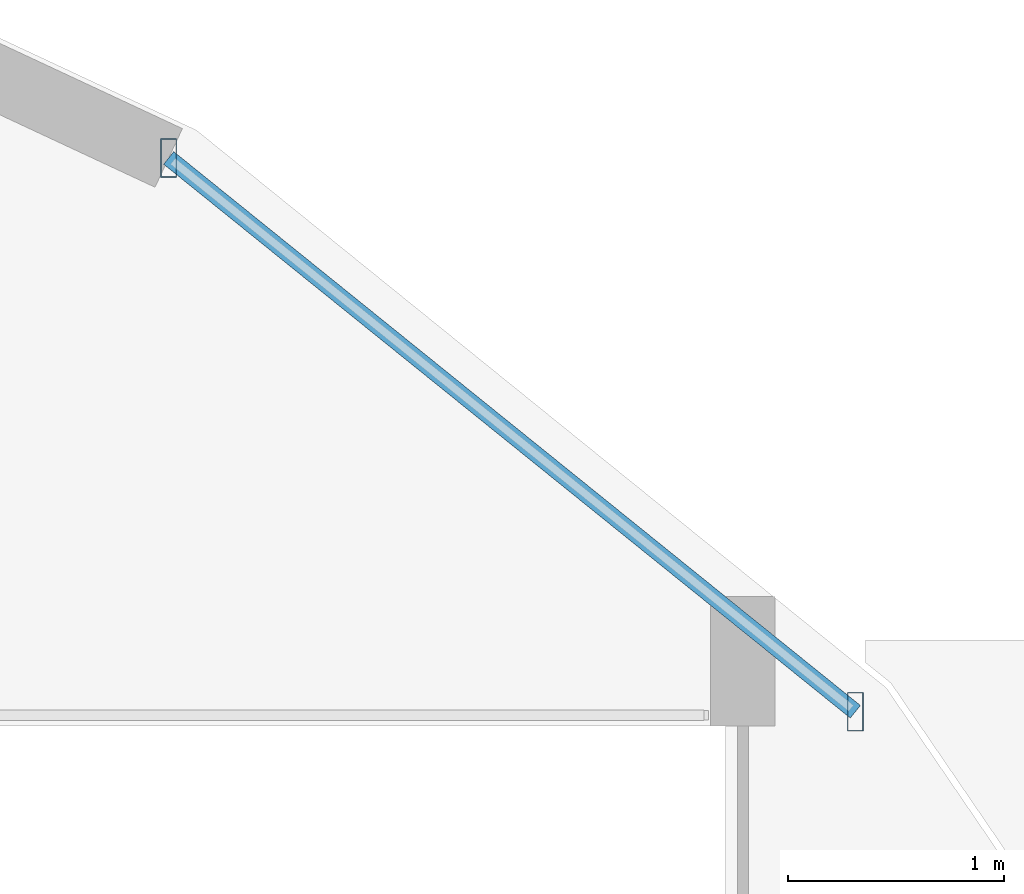
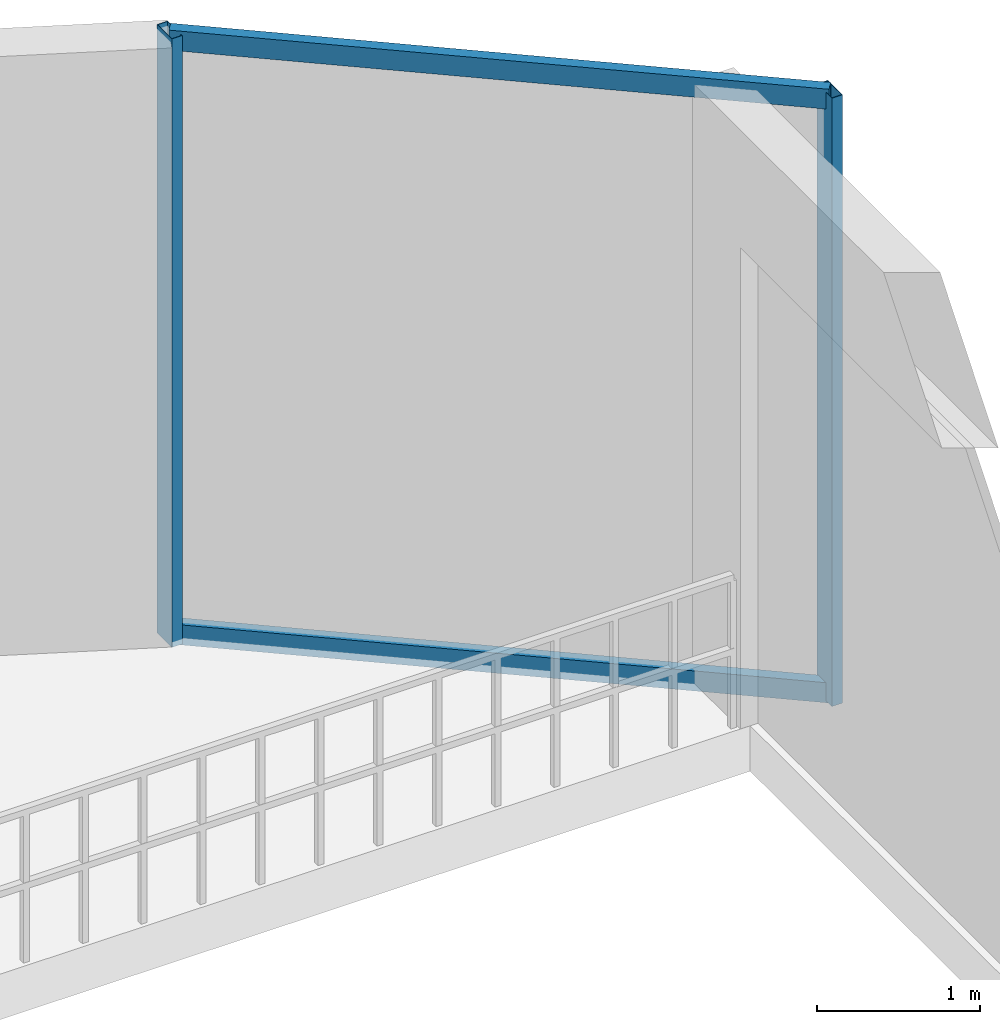
# One storey, part 24 of 36: 4 members, 1 element without a shape of its own.
"""IFC4 building model written with IfcOpenShell, lengths in metres."""

from ifc_helpers import new_model, si_unit, direction, frame, origin, origin_2d, place, context, subcontext, project, spatial, hollow_rectangle, extrude, material, material_profile, profile_set, type_object, element, aggregate, save


model = new_model("IFC4")

# Units and contexts
model_context = context("Model", 3, precision=1e-05, world=origin(), true_north=direction((0.0, 1.0)))
body_context = subcontext(model_context, "Body", "Model", "MODEL_VIEW")
ifc_project = project(units=[si_unit("LENGTHUNIT", "METRE"), si_unit("AREAUNIT", "SQUARE_METRE"), si_unit("VOLUMEUNIT", "CUBIC_METRE"), si_unit("PLANEANGLEUNIT", "RADIAN"), si_unit("MASSUNIT", "GRAM", prefix="KILO")], contexts=[model_context])

# Site, building, storey
site_placement = place(None, origin())
site = spatial("IfcSite", under=ifc_project, at=site_placement, CompositionType="ELEMENT")
building_placement = place(site_placement, origin())
building = spatial("IfcBuilding", under=site, at=building_placement, Name="Vorneva Point Tower", CompositionType="ELEMENT")
storey_placement = place(building_placement, origin())
storey = spatial("IfcBuildingStorey", under=building, at=storey_placement, Name="L00", CompositionType="ELEMENT", Elevation=0.0)

# Curtain wall, members
ifc_material = material(Name="Pale anodised aluminium", Category="aluminium")
curtain_wall_type = type_object("IfcCurtainWallType", Name="CW-POD-SYS", PredefinedType="NOTDEFINED", material=ifc_material)
curtain_wall_placement = place(storey_placement, origin())
curtain_wall = element("IfcCurtainWall", 1, at=curtain_wall_placement, inside=storey, type_object=curtain_wall_type, Name="L00 Unitised Curtain Wall CW-L00-R01", PredefinedType="NOTDEFINED")
ifc_material_profile_1 = material_profile(ifc_material, hollow_rectangle(XDim=0.074951171875, YDim=0.179931640625, WallThickness=0.00390625, at=origin_2d()), Name="AL-MUL 180x75x4")
ifc_profile_set_1 = profile_set([ifc_material_profile_1], Name="Pale anodised aluminium")
member_type_1 = type_object("IfcMemberType", Name="CW-MUL-180", PredefinedType="MULLION", material=ifc_profile_set_1)
member_1_placement = place(storey_placement, frame((69.40185546875, 42.46630859375, -0.0400390625), z_axis=(0.0, 0.0, 1.0), x_axis=(1.0, 0.0, 0.0)))
member_1 = element("IfcMember", 2, at=member_1_placement, type_object=member_type_1, Name="CW-L00-R01 Mullion 01", PredefinedType="MULLION", context=body_context, shape_type="SweptSolid", body=[
    extrude(hollow_rectangle(XDim=0.074951171875, YDim=0.179931640625, WallThickness=0.00390625, at=origin_2d()), origin(), (0.0, 0.0, 1.0), 4.550048828125),
])
member_2_placement = place(storey_placement, frame((66.2158203125, 45.035888671875, -0.0400390625), z_axis=(0.0, 0.0, 1.0), x_axis=(1.0, 0.0, 0.0)))
member_2 = element("IfcMember", 3, at=member_2_placement, type_object=member_type_1, Name="CW-L00-R01 Mullion 02", PredefinedType="MULLION", context=body_context, shape_type="SweptSolid", body=[
    extrude(hollow_rectangle(XDim=0.074951171875, YDim=0.179931640625, WallThickness=0.00390625, at=origin_2d()), origin(), (0.0, 0.0, 1.0), 4.550048828125),
])
ifc_material_profile_2 = material_profile(ifc_material, hollow_rectangle(XDim=0.074951171875, YDim=0.14990234375, WallThickness=0.00390625, at=origin_2d()), Name="AL-TRN 150x75x4")
ifc_profile_set_2 = profile_set([ifc_material_profile_2], Name="Pale anodised aluminium")
member_type_2 = type_object("IfcMemberType", Name="CW-TRN-150", PredefinedType="USERDEFINED", material=ifc_profile_set_2)
member_3_placement = place(storey_placement, frame((69.40185546875, 42.46630859375, 0.02001953125), z_axis=(-0.778389533764, 0.627781597155, 0.0), x_axis=(-0.627781597155, -0.778389533764, 0.0)))
member_3 = element("IfcMember", 4, at=member_3_placement, type_object=member_type_2, Name="CW-L00-R01 Transom 01.1", ObjectType="TRANSOM", PredefinedType="USERDEFINED", context=body_context, shape_type="SweptSolid", body=[
    extrude(hollow_rectangle(XDim=0.074951171875, YDim=0.14990234375, WallThickness=0.00390625, at=origin_2d()), origin(), (0.0, 0.0, 1.0), 4.093017578125),
])
member_4_placement = place(storey_placement, frame((69.40185546875, 42.46630859375, 4.4599609375), z_axis=(-0.778389533764, 0.627781597155, 0.0), x_axis=(-0.627781597155, -0.778389533764, 0.0)))
member_4 = element("IfcMember", 5, at=member_4_placement, type_object=member_type_2, Name="CW-L00-R01 Transom 01.2", ObjectType="TRANSOM", PredefinedType="USERDEFINED", context=body_context, shape_type="SweptSolid", body=[
    extrude(hollow_rectangle(XDim=0.074951171875, YDim=0.14990234375, WallThickness=0.00390625, at=origin_2d()), origin(), (0.0, 0.0, 1.0), 4.093017578125),
])
aggregate(curtain_wall, [member_1, member_2, member_3, member_4])

save(model, "model.ifc")
